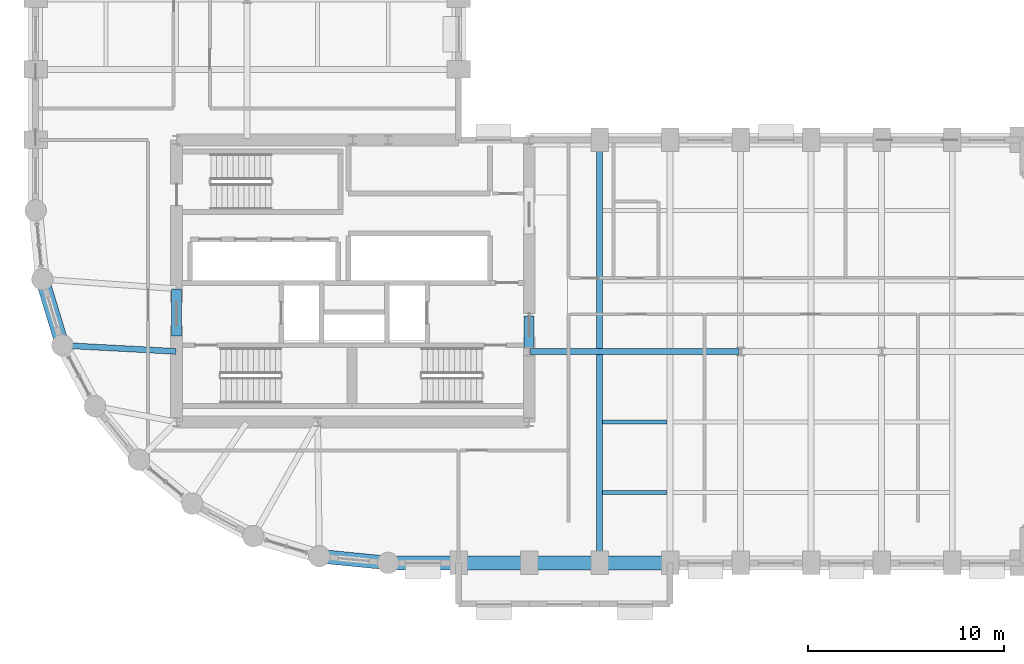
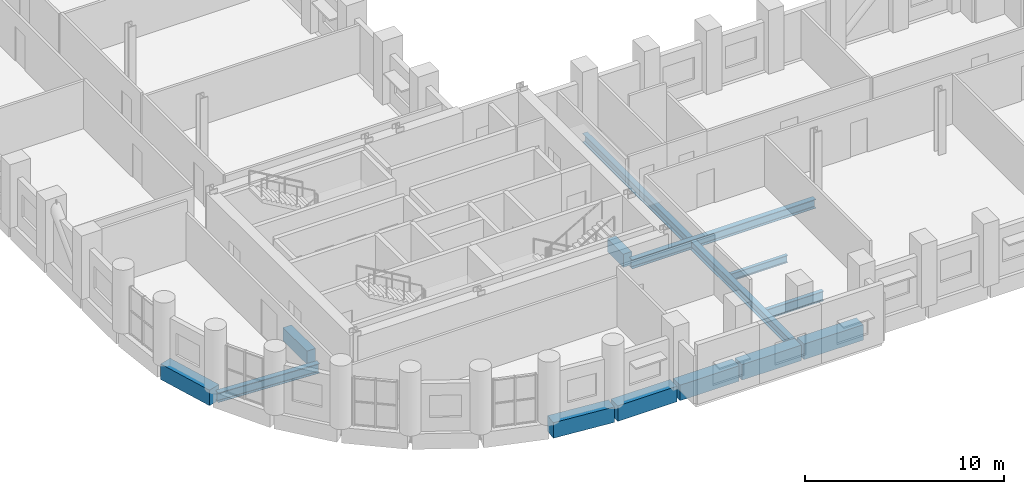
# One storey, part 3 of 14: 13 beams.
"""IFC4 building model written with IfcOpenShell, lengths in metres."""

from ifc_helpers import new_model, si_unit, direction, frame, origin, origin_2d, place, context, subcontext, project, spatial, rectangle, i_section, extrude, material, material_profile, profile_set, type_object, element, save


model = new_model("IFC4")

# Units and contexts
model_context = context("Model", 3, precision=1e-05, world=origin(), true_north=direction((0.0, 1.0)))
body_context = subcontext(model_context, "Body", "Model", "MODEL_VIEW")
ifc_project = project(units=[si_unit("LENGTHUNIT", "METRE"), si_unit("AREAUNIT", "SQUARE_METRE"), si_unit("VOLUMEUNIT", "CUBIC_METRE"), si_unit("PLANEANGLEUNIT", "RADIAN"), si_unit("MASSUNIT", "GRAM", prefix="KILO")], contexts=[model_context])

# Site, building, storey
site_placement = place(None, origin())
site = spatial("IfcSite", under=ifc_project, at=site_placement, CompositionType="ELEMENT")
building_placement = place(site_placement, origin())
building = spatial("IfcBuilding", under=site, at=building_placement, Name="Solnavia Interchange Tower", CompositionType="ELEMENT")
storey_placement = place(building_placement, frame((0.0, 0.0, 63.0)))
storey = spatial("IfcBuildingStorey", under=building, at=storey_placement, Name="L15", CompositionType="ELEMENT", Elevation=63.0)

# Beams
ifc_material_1 = material(Name="Concrete C50/60", Category="concrete")
ifc_material_profile_1 = material_profile(ifc_material_1, rectangle(XDim=0.5, YDim=0.800048828125, at=origin_2d()), Name="RC 500x800")
ifc_profile_set_1 = profile_set([ifc_material_profile_1], Name="Concrete C50/60")
beam_type_1 = type_object("IfcBeamType", Name="Beam-Coupling-RC500x800", PredefinedType="LINTEL", material=ifc_profile_set_1)
beam_1_placement = place(storey_placement, frame((14.39990234375, 15.199951171875, -0.39990234375), z_axis=(0.0, 1.0, 0.0), x_axis=(-1.0, 0.0, 0.0)))
element("IfcBeam", 1, at=beam_1_placement, inside=storey, type_object=beam_type_1, Name="CPB-L15-W1 Core coupling lintel beam", PredefinedType="LINTEL", context=body_context, shape_type="SweptSolid", body=[
    extrude(rectangle(XDim=0.5, YDim=0.800048828125, at=origin_2d()), origin(), (0.0, 0.0, 1.0), 2.400146484375),
])
beam_2_placement = place(storey_placement, frame((32.39990234375, 14.60009765625, -0.39990234375), z_axis=(0.0, 1.0, 0.0), x_axis=(-1.0, 0.0, 0.0)))
element("IfcBeam", 2, at=beam_2_placement, inside=storey, type_object=beam_type_1, Name="CPB-L15-E1 Core coupling lintel beam", PredefinedType="LINTEL", context=body_context, shape_type="SweptSolid", body=[
    extrude(rectangle(XDim=0.5, YDim=0.800048828125, at=origin_2d()), origin(), (0.0, 0.0, 1.0), 1.599853515625),
])
ifc_material_2 = material(Name="Steel S460", Category="steel")
ifc_material_profile_2 = material_profile(ifc_material_2, i_section(OverallWidth=0.300048828125, OverallDepth=0.550048828125, WebThickness=0.014892578125, FlangeThickness=0.029052734375, FilletRadius=0.027099609375, at=origin_2d()), Name="HEB 550")
ifc_profile_set_2 = profile_set([ifc_material_profile_2], Name="Steel S460")
beam_type_2 = type_object("IfcBeamType", Name="Beam-Girder-HEB550", PredefinedType="BEAM", material=ifc_profile_set_2)
beam_3_placement = place(storey_placement, frame((32.47998046875, 14.39990234375, -0.52490234375), z_axis=(1.0, 0.0, 0.0), x_axis=(0.0, 1.0, 0.0)))
element("IfcBeam", 3, at=beam_3_placement, inside=storey, type_object=beam_type_2, Name="GRD-L15-ES01 East wing spine girder", PredefinedType="BEAM", context=body_context, shape_type="SweptSolid", body=[
    extrude(i_section(OverallWidth=0.300048828125, OverallDepth=0.550048828125, WebThickness=0.014892578125, FlangeThickness=0.029052734375, FilletRadius=0.027099609375, at=origin_2d()), origin(), (0.0, 0.0, 1.0), 10.64013671875),
])
beam_4_placement = place(storey_placement, frame((36.0, 3.679931640625, -0.52490234375), z_axis=(0.0, 1.0, 0.0), x_axis=(-1.0, 0.0, 0.0)))
element("IfcBeam", 4, at=beam_4_placement, inside=storey, type_object=beam_type_2, Name="GRD-L15-EW04 East wing primary floor girder", PredefinedType="BEAM", context=body_context, shape_type="SweptSolid", body=[
    extrude(i_section(OverallWidth=0.300048828125, OverallDepth=0.550048828125, WebThickness=0.014892578125, FlangeThickness=0.029052734375, FilletRadius=0.027099609375, at=origin_2d()), origin(), (0.0, 0.0, 1.0), 21.440185546875),
])
ifc_material_3 = material(Name="Steel S355", Category="steel")
ifc_material_profile_3 = material_profile(ifc_material_3, i_section(OverallWidth=0.18994140625, OverallDepth=0.449951171875, WebThickness=0.009521484375, FlangeThickness=0.0146484375, FilletRadius=0.02099609375, at=origin_2d()), Name="IPE 450")
ifc_profile_set_3 = profile_set([ifc_material_profile_3], Name="Steel S355")
beam_type_3 = type_object("IfcBeamType", Name="Beam-Joist-IPE450", PredefinedType="JOIST", material=ifc_profile_set_3)
beam_5_placement = place(storey_placement, frame((36.14990234375, 10.800048828125, -0.47509765625), z_axis=(1.0, 0.0, 0.0), x_axis=(0.0, 1.0, 0.0)))
element("IfcBeam", 5, at=beam_5_placement, inside=storey, type_object=beam_type_3, Name="JST-L15-E06 East wing secondary joist", PredefinedType="JOIST", context=body_context, shape_type="SweptSolid", body=[
    extrude(i_section(OverallWidth=0.18994140625, OverallDepth=0.449951171875, WebThickness=0.009521484375, FlangeThickness=0.0146484375, FilletRadius=0.02099609375, at=origin_2d()), origin(), (0.0, 0.0, 1.0), 3.300048828125),
])
ifc_material_profile_4 = material_profile(ifc_material_3, i_section(OverallWidth=0.219970703125, OverallDepth=0.60009765625, WebThickness=0.011962890625, FlangeThickness=0.01904296875, FilletRadius=0.02392578125, at=origin_2d()), Name="IPE 600")
ifc_profile_set_4 = profile_set([ifc_material_profile_4], Name="Steel S355")
beam_type_4 = type_object("IfcBeamType", Name="Beam-Joist-IPE600", PredefinedType="JOIST", material=ifc_profile_set_4)
beam_6_placement = place(storey_placement, frame((36.14990234375, 7.199951171875, -0.550048828125), z_axis=(1.0, 0.0, 0.0), x_axis=(0.0, 1.0, 0.0)))
element("IfcBeam", 6, at=beam_6_placement, inside=storey, type_object=beam_type_4, Name="JST-L15-E01 East wing secondary joist", PredefinedType="JOIST", context=body_context, shape_type="SweptSolid", body=[
    extrude(i_section(OverallWidth=0.219970703125, OverallDepth=0.60009765625, WebThickness=0.011962890625, FlangeThickness=0.01904296875, FilletRadius=0.02392578125, at=origin_2d()), origin(), (0.0, 0.0, 1.0), 3.300048828125),
])
ifc_material_profile_5 = material_profile(ifc_material_3, i_section(OverallWidth=0.300048828125, OverallDepth=0.590087890625, WebThickness=0.012939453125, FlangeThickness=0.02490234375, FilletRadius=0.027099609375, at=origin_2d()), Name="HEA 600")
ifc_profile_set_5 = profile_set([ifc_material_profile_5], Name="Steel S355")
beam_type_5 = type_object("IfcBeamType", Name="Beam-Primary-HEA600", PredefinedType="BEAM", material=ifc_profile_set_5)
beam_7_placement = place(storey_placement, frame((8.64990234375, 14.707763671875, -0.544921875), z_axis=(0.998570371303, -0.053452909696, 0.0), x_axis=(0.053452909696, 0.998570371303, 0.0)))
element("IfcBeam", 7, at=beam_7_placement, inside=storey, type_object=beam_type_5, Name="GRD-L15-DR23 Drum radial floor girder", PredefinedType="BEAM", context=body_context, shape_type="SweptSolid", body=[
    extrude(i_section(OverallWidth=0.300048828125, OverallDepth=0.590087890625, WebThickness=0.012939453125, FlangeThickness=0.02490234375, FilletRadius=0.027099609375, at=origin_2d()), origin(), (0.0, 0.0, 1.0), 5.71826171875),
])
ifc_material_profile_6 = material_profile(ifc_material_1, rectangle(XDim=0.699951171875, YDim=0.949951171875, at=origin_2d()), Name="RC 700x950")
ifc_profile_set_6 = profile_set([ifc_material_profile_6], Name="Concrete C50/60")
beam_type_6 = type_object("IfcBeamType", Name="Beam-Spandrel-RC700x950", PredefinedType="SPANDREL", material=ifc_profile_set_6)
beam_8_placement = place(storey_placement, frame((7.569091796875, 18.011474609375, -0.47509765625), z_axis=(0.290319223646, -0.956929855518, 0.0), x_axis=(0.956929855518, 0.290319223646, 0.0)))
element("IfcBeam", 8, at=beam_8_placement, inside=storey, type_object=beam_type_6, Name="SPB-L15-02 Framed-tube perimeter spandrel beam", PredefinedType="SPANDREL", context=body_context, shape_type="SweptSolid", body=[
    extrude(rectangle(XDim=0.699951171875, YDim=0.949951171875, at=origin_2d()), origin(), (0.0, 0.0, 1.0), 3.367919921875),
])
beam_9_placement = place(storey_placement, frame((21.767578125, 3.938232421875, -0.47509765625), z_axis=(0.995181774609, -0.098047108501, 0.0), x_axis=(0.098047108501, 0.995181774609, 0.0)))
element("IfcBeam", 9, at=beam_9_placement, inside=storey, type_object=beam_type_6, Name="SPB-L15-08 Framed-tube perimeter spandrel beam", PredefinedType="SPANDREL", context=body_context, shape_type="SweptSolid", body=[
    extrude(rectangle(XDim=0.699951171875, YDim=0.949951171875, at=origin_2d()), origin(), (0.0, 0.0, 1.0), 3.368896484375),
])
beam_10_placement = place(storey_placement, frame((25.280029296875, 3.60009765625, -0.47509765625), z_axis=(1.0, 0.0, 0.0), x_axis=(0.0, 1.0, 0.0)))
element("IfcBeam", 10, at=beam_10_placement, inside=storey, type_object=beam_type_6, Name="SPB-L15-09 Framed-tube perimeter spandrel beam", PredefinedType="SPANDREL", context=body_context, shape_type="SweptSolid", body=[
    extrude(rectangle(XDim=0.699951171875, YDim=0.949951171875, at=origin_2d()), origin(), (0.0, 0.0, 1.0), 3.43994140625),
])
beam_11_placement = place(storey_placement, frame((28.8798828125, 3.60009765625, -0.47509765625), z_axis=(1.0, 0.0, 0.0), x_axis=(0.0, 1.0, 0.0)))
element("IfcBeam", 11, at=beam_11_placement, inside=storey, type_object=beam_type_6, Name="SPB-L15-10 Framed-tube perimeter spandrel beam", PredefinedType="SPANDREL", context=body_context, shape_type="SweptSolid", body=[
    extrude(rectangle(XDim=0.699951171875, YDim=0.949951171875, at=origin_2d()), origin(), (0.0, 0.0, 1.0), 3.440185546875),
])
for number, where, z_axis, x_axis, name in (
    (12, (32.47998046875, 3.60009765625, -0.47509765625), (1.0, 0.0, 0.0), (0.0, 1.0, 0.0), "SPB-L15-11 Framed-tube perimeter spandrel beam"),
    (13, (36.080078125, 3.60009765625, -0.47509765625), (1.0, 0.0, 0.0), (0.0, 1.0, 0.0), "SPB-L15-12 Framed-tube perimeter spandrel beam"),
):
    element("IfcBeam", number, at=place(storey_placement, frame(where, z_axis=z_axis, x_axis=x_axis)), inside=storey, type_object=beam_type_6, Name=name, PredefinedType="SPANDREL", context=body_context, shape_type="SweptSolid", body=[
        extrude(rectangle(XDim=0.699951171875, YDim=0.949951171875, at=origin_2d()), origin(), (0.0, 0.0, 1.0), 3.43994140625),
    ])

save(model, "model.ifc")
